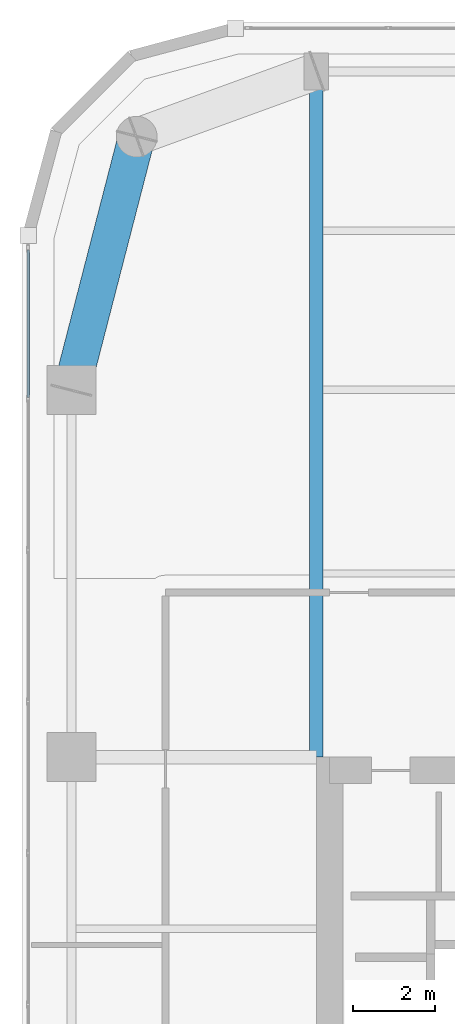
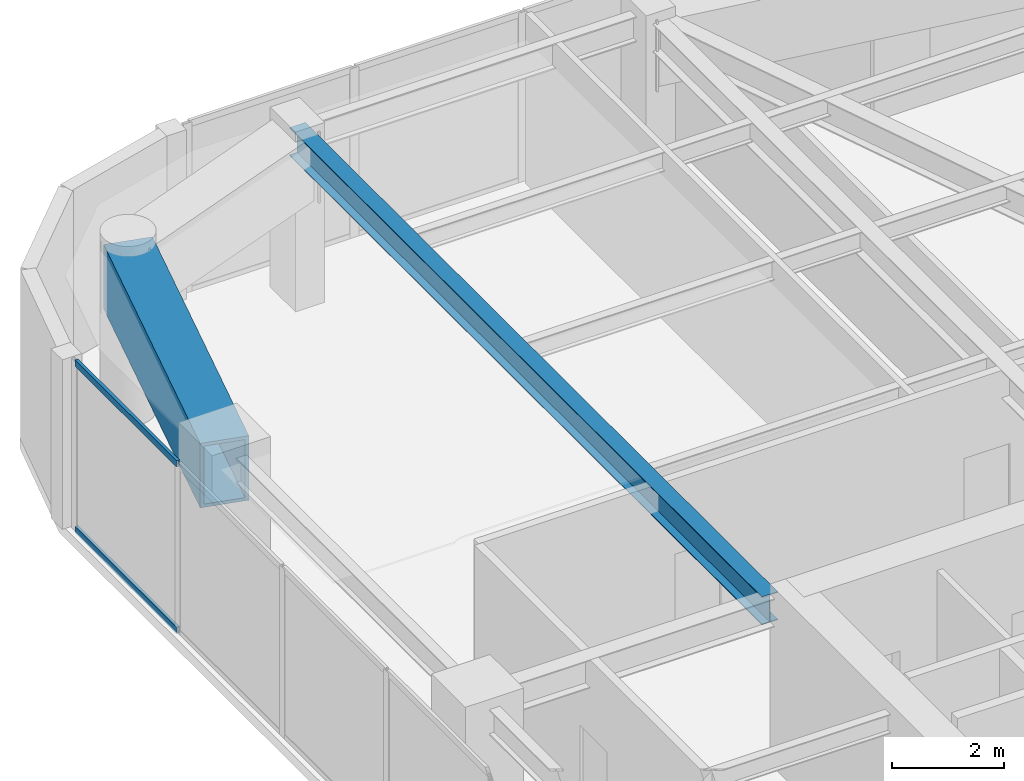
# One storey, part 7 of 21: 2 beams, 2 members, 1 element without a shape of its own.
"""IFC4 building model written with IfcOpenShell, lengths in metres."""

from ifc_helpers import new_model, si_unit, direction, frame, origin, origin_2d, place, context, subcontext, project, spatial, hollow_rectangle, i_section, extrude, material, layer, layer_set, material_profile, profile_set, type_object, element, aggregate, save


model = new_model("IFC4")

# Units and contexts
model_context = context("Model", 3, precision=1e-05, world=origin(), true_north=direction((0.0, 1.0)))
body_context = subcontext(model_context, "Body", "Model", "MODEL_VIEW")
ifc_project = project(units=[si_unit("LENGTHUNIT", "METRE"), si_unit("AREAUNIT", "SQUARE_METRE"), si_unit("VOLUMEUNIT", "CUBIC_METRE"), si_unit("PLANEANGLEUNIT", "RADIAN"), si_unit("MASSUNIT", "GRAM", prefix="KILO")], contexts=[model_context])

# Site, building, storey
site_placement = place(None, origin())
site = spatial("IfcSite", under=ifc_project, at=site_placement, CompositionType="ELEMENT")
building_placement = place(site_placement, origin())
building = spatial("IfcBuilding", under=site, at=building_placement, Name="Kiyonajd Concourse Tower", CompositionType="ELEMENT")
storey_placement = place(building_placement, frame((0.0, 0.0, 219.300048828125)))
storey = spatial("IfcBuildingStorey", under=building, at=storey_placement, Name="L55", CompositionType="ELEMENT", Elevation=219.300048828125)

# Beams
ifc_material_1 = material(Name="Steel ASTM A992 Grade 50", Category="steel")
ifc_material_profile_1 = material_profile(ifc_material_1, i_section(OverallWidth=0.323974609375, OverallDepth=0.611083984375, WebThickness=0.0126953125, FlangeThickness=0.01904296875, at=origin_2d()), Name="W610X155")
ifc_profile_set_1 = profile_set([ifc_material_profile_1], Name="Steel ASTM A992 Grade 50")
beam_type_1 = type_object("IfcBeamType", Name="BM-TWR-610B", PredefinedType="BEAM", material=ifc_profile_set_1)
beam_1_placement = place(storey_placement, frame((32.39990234375, 44.39990234375, 3.37451171875), z_axis=(0.0, 1.0, 0.0), x_axis=(-1.0, 0.0, 0.0)))
element("IfcBeam", 1, at=beam_1_placement, inside=storey, type_object=beam_type_1, Name="L55 North Lease Girder", PredefinedType="BEAM", context=body_context, shape_type="SweptSolid", body=[
    extrude(i_section(OverallWidth=0.323974609375, OverallDepth=0.611083984375, WebThickness=0.0126953125, FlangeThickness=0.01904296875, at=origin_2d()), origin(), (0.0, 0.0, 1.0), 16.800048828125),
])
ifc_material_2 = material(Name="Steel ASTM A572 Grade 50", Category="steel")
ifc_material_profile_2 = material_profile(ifc_material_2, hollow_rectangle(XDim=0.89990234375, YDim=1.39990234375, WallThickness=0.070068359375, at=origin_2d()), Name="BOX-1400x900x70")
ifc_profile_set_2 = profile_set([ifc_material_profile_2], Name="Steel ASTM A572 Grade 50")
beam_type_2 = type_object("IfcBeamType", Name="BM-XFER-1400", PredefinedType="BEAM", material=ifc_profile_set_2)
beam_2_placement = place(storey_placement, frame((28.0, 59.60009765625, 2.97998046875), z_axis=(-0.249884937687, -0.968275538221, 0.0), x_axis=(0.968275538221, -0.249884937687, 0.0)))
element("IfcBeam", 2, at=beam_2_placement, inside=storey, type_object=beam_type_2, Name="L55 Perimeter Bundled Tube Spandrel", PredefinedType="BEAM", context=body_context, shape_type="SweptSolid", body=[
    extrude(hollow_rectangle(XDim=0.89990234375, YDim=1.39990234375, WallThickness=0.070068359375, at=origin_2d()), origin(), (0.0, 0.0, 1.0), 6.4033203125),
])

# Curtain wall, members
ifc_material_3 = material(Name="Thermally Broken Anodised Aluminium", Category="aluminium")
ifc_layer = layer(ifc_material_3, 0.179931640625)
ifc_layer_set = layer_set([ifc_layer], Name="Thermally Broken Anodised Aluminium")
curtain_wall_type = type_object("IfcCurtainWallType", Name="CW-SYS-04", PredefinedType="NOTDEFINED", material=ifc_layer_set)
curtain_wall_placement = place(storey_placement, origin())
curtain_wall = element("IfcCurtainWall", 3, at=curtain_wall_placement, inside=storey, type_object=curtain_wall_type, Name="L55 Unitised Curtain Wall CW4", PredefinedType="NOTDEFINED")
ifc_material_profile_3 = material_profile(ifc_material_3, hollow_rectangle(XDim=0.06494140625, YDim=0.139892578125, WallThickness=0.00390625, at=origin_2d()), Name="TRAN-65x140")
ifc_profile_set_3 = profile_set([ifc_material_profile_3], Name="Thermally Broken Anodised Aluminium")
member_type = type_object("IfcMemberType", Name="MB-CW-TRAN1", PredefinedType="USERDEFINED", material=ifc_profile_set_3)
member_1_placement = place(storey_placement, frame((25.340087890625, 53.2138671875, 0.032470703125), z_axis=(0.0, 1.0, 0.0), x_axis=(-1.0, 0.0, 0.0)))
member_1 = element("IfcMember", 4, at=member_1_placement, type_object=member_type, Name="CW4 transom 6.1", ObjectType="TRANSOM", PredefinedType="USERDEFINED", context=body_context, shape_type="SweptSolid", body=[
    extrude(hollow_rectangle(XDim=0.06494140625, YDim=0.139892578125, WallThickness=0.00390625, at=origin_2d()), origin(), (0.0, 0.0, 1.0), 3.61279296875),
])
member_2_placement = place(storey_placement, frame((25.340087890625, 53.2138671875, 3.6474609375), z_axis=(0.0, 1.0, 0.0), x_axis=(-1.0, 0.0, 0.0)))
member_2 = element("IfcMember", 5, at=member_2_placement, type_object=member_type, Name="CW4 transom 6.2", ObjectType="TRANSOM", PredefinedType="USERDEFINED", context=body_context, shape_type="SweptSolid", body=[
    extrude(hollow_rectangle(XDim=0.06494140625, YDim=0.139892578125, WallThickness=0.00390625, at=origin_2d()), origin(), (0.0, 0.0, 1.0), 3.61279296875),
])
aggregate(curtain_wall, [member_1, member_2])

save(model, "model.ifc")
